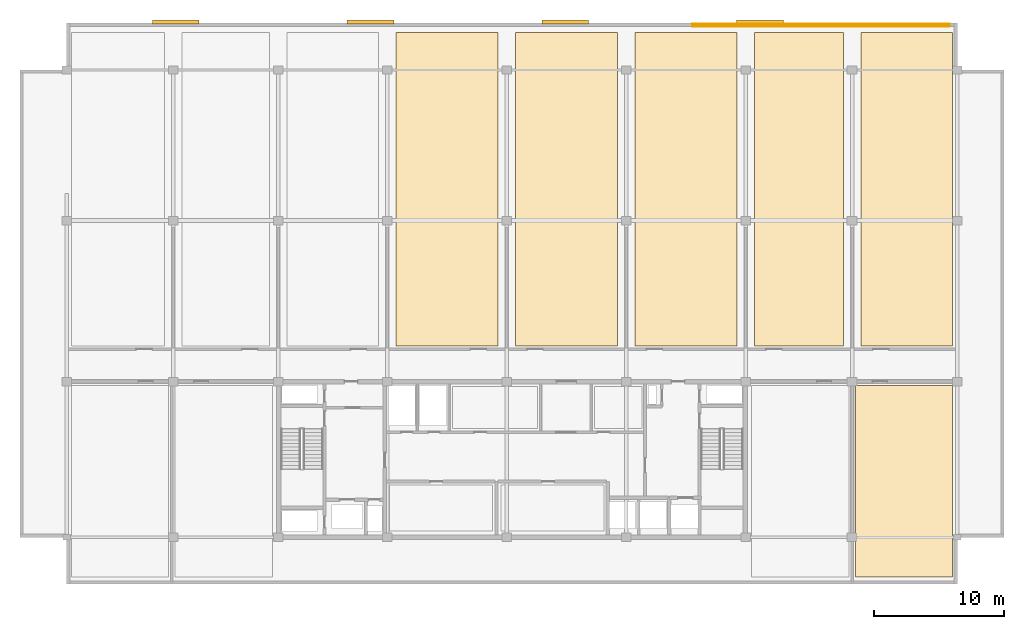
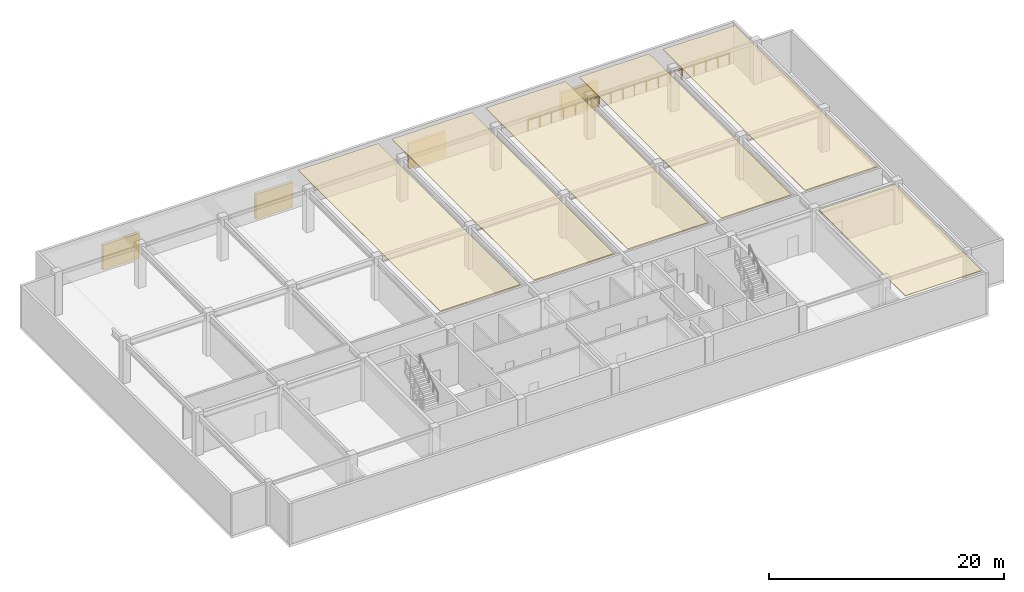
# One storey, part 9 of 9: 6 coverings, 4 shading devices, 2 railings.
"""IFC4 building model written with IfcOpenShell, lengths in metres."""

from ifc_helpers import new_model, si_unit, direction, frame, origin, origin_2d, place, context, subcontext, project, spatial, polyline, rectangle, circle, outline, extrude, material, layer, layer_set, type_object, element, save


model = new_model("IFC4")

# Units and contexts
model_context = context("Model", 3, precision=1e-05, world=origin(), true_north=direction((0.0, 1.0)))
body_context = subcontext(model_context, "Body", "Model", "MODEL_VIEW")
ifc_project = project(units=[si_unit("LENGTHUNIT", "METRE"), si_unit("AREAUNIT", "SQUARE_METRE"), si_unit("VOLUMEUNIT", "CUBIC_METRE"), si_unit("PLANEANGLEUNIT", "RADIAN"), si_unit("MASSUNIT", "GRAM", prefix="KILO")], contexts=[model_context])

# Site, building, storey
site_placement = place(None, origin())
site = spatial("IfcSite", under=ifc_project, at=site_placement, CompositionType="ELEMENT")
building_placement = place(site_placement, origin())
building = spatial("IfcBuilding", under=site, at=building_placement, Name="Korimba Cascade Residences", CompositionType="ELEMENT")
storey_placement = place(building_placement, frame((0.0, 0.0, 259.699951171875)))
storey = spatial("IfcBuildingStorey", under=building, at=storey_placement, Name="L75", CompositionType="ELEMENT", Elevation=259.699951171875)

# Coverings
ifc_material_1 = material(Name="Mineral Wool Thermal Acoustic Insulation", Category="insulation")
ifc_layer = layer(ifc_material_1, 0.06005859375)
ifc_layer_set = layer_set([ifc_layer], Name="Mineral Wool Thermal Acoustic Insulation")
covering_type = type_object("IfcCoveringType", Name="COV-INS-60", PredefinedType="INSULATION", material=ifc_layer_set)
covering_1_placement = place(storey_placement, frame((0.0, 0.0, 4.170166015625)))
element("IfcCovering", 1, at=covering_1_placement, inside=storey, type_object=covering_type, Name="L75 Mineral Wool Acoustic Soffit Insulation L75-PL14", PredefinedType="INSULATION", context=body_context, shape_type="SweptSolid", body=[
    extrude(outline(polyline([(85.169921875, 69.949951171875), (93.030029296875, 69.949951171875), (93.030029296875, 94.10009765625), (85.169921875, 94.10009765625), (85.169921875, 69.949951171875)])), origin(), (0.0, 0.0, 1.0), 0.059814453125),
])
covering_2_placement = place(storey_placement, frame((0.0, 0.0, 4.170166015625)))
element("IfcCovering", 2, at=covering_2_placement, inside=storey, type_object=covering_type, Name="L75 Mineral Wool Acoustic Soffit Insulation L75-PL15", PredefinedType="INSULATION", context=body_context, shape_type="SweptSolid", body=[
    extrude(outline(polyline([(94.3701171875, 69.949951171875), (102.22998046875, 69.949951171875), (102.22998046875, 94.10009765625), (94.3701171875, 94.10009765625), (94.3701171875, 69.949951171875)])), origin(), (0.0, 0.0, 1.0), 0.059814453125),
])
covering_3_placement = place(storey_placement, frame((0.0, 0.0, 4.170166015625)))
element("IfcCovering", 3, at=covering_3_placement, inside=storey, type_object=covering_type, Name="L75 Mineral Wool Acoustic Soffit Insulation L75-PL16", PredefinedType="INSULATION", context=body_context, shape_type="SweptSolid", body=[
    extrude(outline(polyline([(103.570068359375, 69.949951171875), (111.429931640625, 69.949951171875), (111.429931640625, 94.10009765625), (103.570068359375, 94.10009765625), (103.570068359375, 69.949951171875)])), origin(), (0.0, 0.0, 1.0), 0.059814453125),
])
covering_4_placement = place(storey_placement, frame((0.0, 0.0, 4.170166015625)))
element("IfcCovering", 4, at=covering_4_placement, inside=storey, type_object=covering_type, Name="L75 Mineral Wool Acoustic Soffit Insulation L75-PL17", PredefinedType="INSULATION", context=body_context, shape_type="SweptSolid", body=[
    extrude(outline(polyline([(112.77001953125, 69.949951171875), (119.6298828125, 69.949951171875), (119.6298828125, 94.10009765625), (112.77001953125, 94.10009765625), (112.77001953125, 69.949951171875)])), origin(), (0.0, 0.0, 1.0), 0.059814453125),
])
covering_5_placement = place(storey_placement, frame((0.0, 0.0, 4.170166015625)))
element("IfcCovering", 5, at=covering_5_placement, inside=storey, type_object=covering_type, Name="L75 Mineral Wool Acoustic Soffit Insulation L75-PL18", PredefinedType="INSULATION", context=body_context, shape_type="SweptSolid", body=[
    extrude(outline(polyline([(120.969970703125, 69.949951171875), (128.050048828125, 69.949951171875), (128.050048828125, 94.10009765625), (120.969970703125, 94.10009765625), (120.969970703125, 69.949951171875)])), origin(), (0.0, 0.0, 1.0), 0.059814453125),
])
covering_6_placement = place(storey_placement, frame((0.0, 0.0, 4.170166015625)))
element("IfcCovering", 6, at=covering_6_placement, inside=storey, type_object=covering_type, Name="L75 Mineral Wool Acoustic Soffit Insulation L75-RWE2", PredefinedType="INSULATION", context=body_context, shape_type="SweptSolid", body=[
    extrude(outline(polyline([(120.550048828125, 52.14990234375), (128.050048828125, 52.14990234375), (128.050048828125, 66.89990234375), (120.550048828125, 66.89990234375), (120.550048828125, 52.14990234375)])), origin(), (0.0, 0.0, 1.0), 0.059814453125),
])

# Railings
ifc_material_2 = material(Name="Painted Galvanised Steel Terrace Guardrail", Category="steel")
railing_type = type_object("IfcRailingType", Name="RLG-TER-1150", PredefinedType="GUARDRAIL", material=ifc_material_2)
railing_1_placement = place(storey_placement, frame((108.0, 94.72998046875, 0.0)))
element("IfcRailing", 7, at=railing_1_placement, inside=storey, type_object=railing_type, Name="L75 Perimeter Guardrail RLG-L75-T1-REF-01", PredefinedType="GUARDRAIL", context=body_context, shape_type="SweptSolid", body=[
    extrude(circle(Radius=0.02392578125, at=origin_2d()), frame((0.0, 0.0, 1.1259765625), z_axis=(1.0, 0.0, 0.0), x_axis=(0.0, 1.0, 0.0)), (0.0, 0.0, 1.0), 19.800048828125),
    extrude(circle(Radius=0.02099609375, at=origin_2d()), origin(), (0.0, 0.0, 1.0), 1.101806640625),
    extrude(circle(Radius=0.02099609375, at=origin_2d()), frame((1.164794921875, 0.0, 0.0)), (0.0, 0.0, 1.0), 1.101806640625),
    extrude(circle(Radius=0.02099609375, at=origin_2d()), frame((2.329345703125, 0.0, 0.0)), (0.0, 0.0, 1.0), 1.101806640625),
    extrude(circle(Radius=0.02099609375, at=origin_2d()), frame((3.494140625, 0.0, 0.0)), (0.0, 0.0, 1.0), 1.101806640625),
    extrude(circle(Radius=0.02099609375, at=origin_2d()), frame((4.658935546875, 0.0, 0.0)), (0.0, 0.0, 1.0), 1.101806640625),
    extrude(circle(Radius=0.02099609375, at=origin_2d()), frame((5.823486328125, 0.0, 0.0)), (0.0, 0.0, 1.0), 1.101806640625),
    extrude(circle(Radius=0.02099609375, at=origin_2d()), frame((6.98828125, 0.0, 0.0)), (0.0, 0.0, 1.0), 1.101806640625),
    extrude(circle(Radius=0.02099609375, at=origin_2d()), frame((8.153076171875, 0.0, 0.0)), (0.0, 0.0, 1.0), 1.101806640625),
    extrude(circle(Radius=0.02099609375, at=origin_2d()), frame((9.317626953125, 0.0, 0.0)), (0.0, 0.0, 1.0), 1.101806640625),
    extrude(circle(Radius=0.02099609375, at=origin_2d()), frame((10.482421875, 0.0, 0.0)), (0.0, 0.0, 1.0), 1.101806640625),
    extrude(circle(Radius=0.02099609375, at=origin_2d()), frame((11.64697265625, 0.0, 0.0)), (0.0, 0.0, 1.0), 1.101806640625),
    extrude(circle(Radius=0.02099609375, at=origin_2d()), frame((12.811767578125, 0.0, 0.0)), (0.0, 0.0, 1.0), 1.101806640625),
    extrude(circle(Radius=0.02099609375, at=origin_2d()), frame((13.9765625, 0.0, 0.0)), (0.0, 0.0, 1.0), 1.101806640625),
    extrude(circle(Radius=0.02099609375, at=origin_2d()), frame((15.14111328125, 0.0, 0.0)), (0.0, 0.0, 1.0), 1.101806640625),
    extrude(circle(Radius=0.02099609375, at=origin_2d()), frame((16.305908203125, 0.0, 0.0)), (0.0, 0.0, 1.0), 1.101806640625),
    extrude(circle(Radius=0.02099609375, at=origin_2d()), frame((17.470703125, 0.0, 0.0)), (0.0, 0.0, 1.0), 1.101806640625),
    extrude(circle(Radius=0.02099609375, at=origin_2d()), frame((18.63525390625, 0.0, 0.0)), (0.0, 0.0, 1.0), 1.101806640625),
    extrude(circle(Radius=0.02099609375, at=origin_2d()), frame((19.800048828125, 0.0, 0.0)), (0.0, 0.0, 1.0), 1.101806640625),
])
railing_2_placement = place(storey_placement, frame((127.800048828125, 94.570068359375, 0.0)))
element("IfcRailing", 8, at=railing_2_placement, inside=storey, type_object=railing_type, Name="L75 Perimeter Guardrail RLG-L75-T1-REF-02", PredefinedType="GUARDRAIL", context=body_context, shape_type="SweptSolid", body=[
    extrude(circle(Radius=0.02392578125, at=origin_2d()), frame((0.0, 0.0, 1.1259765625), z_axis=(-1.0, 0.0, 0.0), x_axis=(0.0, -1.0, 0.0)), (0.0, 0.0, 1.0), 19.800048828125),
    extrude(circle(Radius=0.02099609375, at=origin_2d()), origin(), (0.0, 0.0, 1.0), 1.101806640625),
    extrude(circle(Radius=0.02099609375, at=origin_2d()), frame((-1.164794921875, 0.0, 0.0)), (0.0, 0.0, 1.0), 1.101806640625),
    extrude(circle(Radius=0.02099609375, at=origin_2d()), frame((-2.329345703125, 0.0, 0.0)), (0.0, 0.0, 1.0), 1.101806640625),
    extrude(circle(Radius=0.02099609375, at=origin_2d()), frame((-3.494140625, 0.0, 0.0)), (0.0, 0.0, 1.0), 1.101806640625),
    extrude(circle(Radius=0.02099609375, at=origin_2d()), frame((-4.658935546875, 0.0, 0.0)), (0.0, 0.0, 1.0), 1.101806640625),
    extrude(circle(Radius=0.02099609375, at=origin_2d()), frame((-5.823486328125, 0.0, 0.0)), (0.0, 0.0, 1.0), 1.101806640625),
    extrude(circle(Radius=0.02099609375, at=origin_2d()), frame((-6.98828125, 0.0, 0.0)), (0.0, 0.0, 1.0), 1.101806640625),
    extrude(circle(Radius=0.02099609375, at=origin_2d()), frame((-8.153076171875, 0.0, 0.0)), (0.0, 0.0, 1.0), 1.101806640625),
    extrude(circle(Radius=0.02099609375, at=origin_2d()), frame((-9.317626953125, 0.0, 0.0)), (0.0, 0.0, 1.0), 1.101806640625),
    extrude(circle(Radius=0.02099609375, at=origin_2d()), frame((-10.482421875, 0.0, 0.0)), (0.0, 0.0, 1.0), 1.101806640625),
    extrude(circle(Radius=0.02099609375, at=origin_2d()), frame((-11.64697265625, 0.0, 0.0)), (0.0, 0.0, 1.0), 1.101806640625),
    extrude(circle(Radius=0.02099609375, at=origin_2d()), frame((-12.811767578125, 0.0, 0.0)), (0.0, 0.0, 1.0), 1.101806640625),
    extrude(circle(Radius=0.02099609375, at=origin_2d()), frame((-13.9765625, 0.0, 0.0)), (0.0, 0.0, 1.0), 1.101806640625),
    extrude(circle(Radius=0.02099609375, at=origin_2d()), frame((-15.14111328125, 0.0, 0.0)), (0.0, 0.0, 1.0), 1.101806640625),
    extrude(circle(Radius=0.02099609375, at=origin_2d()), frame((-16.305908203125, 0.0, 0.0)), (0.0, 0.0, 1.0), 1.101806640625),
    extrude(circle(Radius=0.02099609375, at=origin_2d()), frame((-17.470703125, 0.0, 0.0)), (0.0, 0.0, 1.0), 1.101806640625),
    extrude(circle(Radius=0.02099609375, at=origin_2d()), frame((-18.63525390625, 0.0, 0.0)), (0.0, 0.0, 1.0), 1.101806640625),
    extrude(circle(Radius=0.02099609375, at=origin_2d()), frame((-19.800048828125, 0.0, 0.0)), (0.0, 0.0, 1.0), 1.101806640625),
])

# Shading devices
ifc_material_3 = material(Name="Powder-Coated Bronze Acoustic Louvre Bank", Category="aluminium")
shading_device_type = type_object("IfcShadingDeviceType", Name="SHD-LVR-300", PredefinedType="USERDEFINED", material=ifc_material_3)
for number, where, z_axis, x_axis, name in (
    (9, (68.199951171875, 94.89990234375, 0.0), (0.0, 0.0, 1.0), (1.0, 0.0, 0.0), "L75 T1 Plant Acoustic Louvre 1"),
    (10, (83.199951171875, 94.89990234375, 0.0), (0.0, 0.0, 1.0), (1.0, 0.0, 0.0), "L75 T1 Plant Acoustic Louvre 2"),
    (11, (98.199951171875, 94.89990234375, 0.0), (0.0, 0.0, 1.0), (1.0, 0.0, 0.0), "L75 T1 Plant Acoustic Louvre 3"),
    (12, (113.199951171875, 94.89990234375, 0.0), (0.0, 0.0, 1.0), (1.0, 0.0, 0.0), "L75 T1 Plant Acoustic Louvre 4"),
):
    element("IfcShadingDevice", number, at=place(storey_placement, frame(where, z_axis=z_axis, x_axis=x_axis)), inside=storey, type_object=shading_device_type, Name=name, ObjectType="LOUVRE", PredefinedType="USERDEFINED", context=body_context, shape_type="SweptSolid", body=[
        extrude(rectangle(XDim=3.60009765625, YDim=0.300048828125, at=origin_2d()), origin(), (0.0, 0.0, 1.0), 2.60009765625),
    ])

save(model, "model.ifc")
